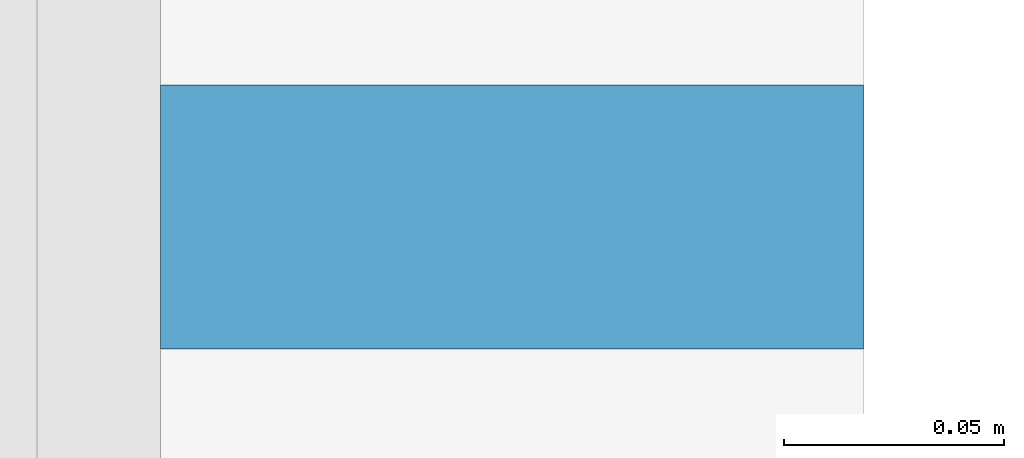
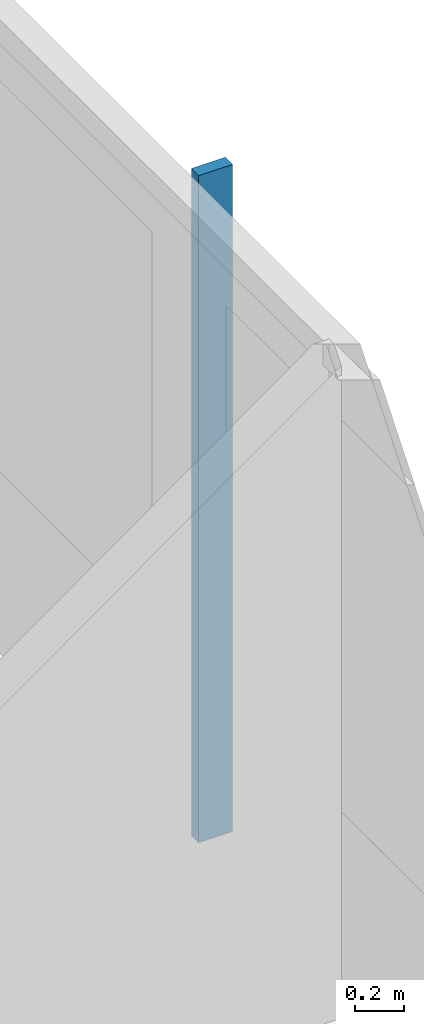
# One storey, part 10 of 24: 1 member, 1 element without a shape of its own.
"""IFC4 building model written with IfcOpenShell, lengths in metres."""

from ifc_helpers import new_model, si_unit, direction, frame, origin, origin_2d, place, context, subcontext, project, spatial, rectangle, extrude, material, material_profile, profile_set, type_object, element, aggregate, save


model = new_model("IFC4")

# Units and contexts
model_context = context("Model", 3, precision=1e-05, world=origin(), true_north=direction((0.0, 1.0)))
body_context = subcontext(model_context, "Body", "Model", "MODEL_VIEW")
ifc_project = project(units=[si_unit("LENGTHUNIT", "METRE"), si_unit("AREAUNIT", "SQUARE_METRE"), si_unit("VOLUMEUNIT", "CUBIC_METRE"), si_unit("PLANEANGLEUNIT", "RADIAN"), si_unit("MASSUNIT", "GRAM", prefix="KILO")], contexts=[model_context])

# Site, building, storey
site_placement = place(None, origin())
site = spatial("IfcSite", under=ifc_project, at=site_placement, CompositionType="ELEMENT")
building_placement = place(site_placement, origin())
building = spatial("IfcBuilding", under=site, at=building_placement, Name="Saffron Gate Tower", CompositionType="ELEMENT")
storey_placement = place(building_placement, frame((0.0, 0.0, 281.550048828125)))
storey = spatial("IfcBuildingStorey", under=building, at=storey_placement, Name="L68", CompositionType="ELEMENT", Elevation=281.550048828125)

# Curtain wall, member
ifc_material = material(Name="Aluminium, bronze anodised", Category="aluminium")
curtain_wall_type = type_object("IfcCurtainWallType", Name="CWS2 curtain wall side facades", PredefinedType="NOTDEFINED", material=ifc_material)
curtain_wall_placement = place(storey_placement, origin())
curtain_wall = element("IfcCurtainWall", 1, at=curtain_wall_placement, inside=storey, type_object=curtain_wall_type, Name="CWS2 run 4", PredefinedType="NOTDEFINED")
ifc_material_profile = material_profile(ifc_material, rectangle(XDim=0.159912109375, YDim=0.06005859375, at=origin_2d()))
ifc_profile_set = profile_set([ifc_material_profile], Name="Aluminium, bronze anodised")
member_type = type_object("IfcMemberType", Name="CWS2 mullion 60x160", PredefinedType="MULLION", material=ifc_profile_set)
member_placement = place(storey_placement, frame((118.719970703125, 57.0, 0.0), z_axis=(0.0, 0.0, 1.0), x_axis=(-1.0, 0.0, 0.0)))
member = element("IfcMember", 2, at=member_placement, type_object=member_type, Name="CWS2 mullion 4", PredefinedType="MULLION", context=body_context, shape_type="SweptSolid", body=[
    extrude(rectangle(XDim=0.159912109375, YDim=0.06005859375, at=origin_2d()), origin(), (0.0, 0.0, 1.0), 3.320068359375),
])
aggregate(curtain_wall, [member])

save(model, "model.ifc")
